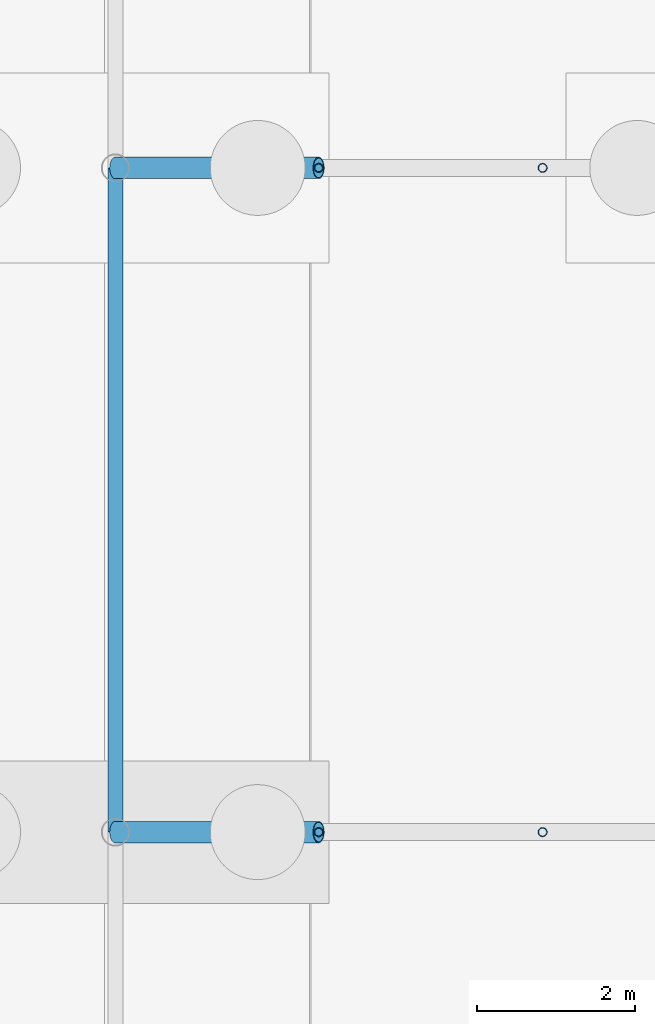
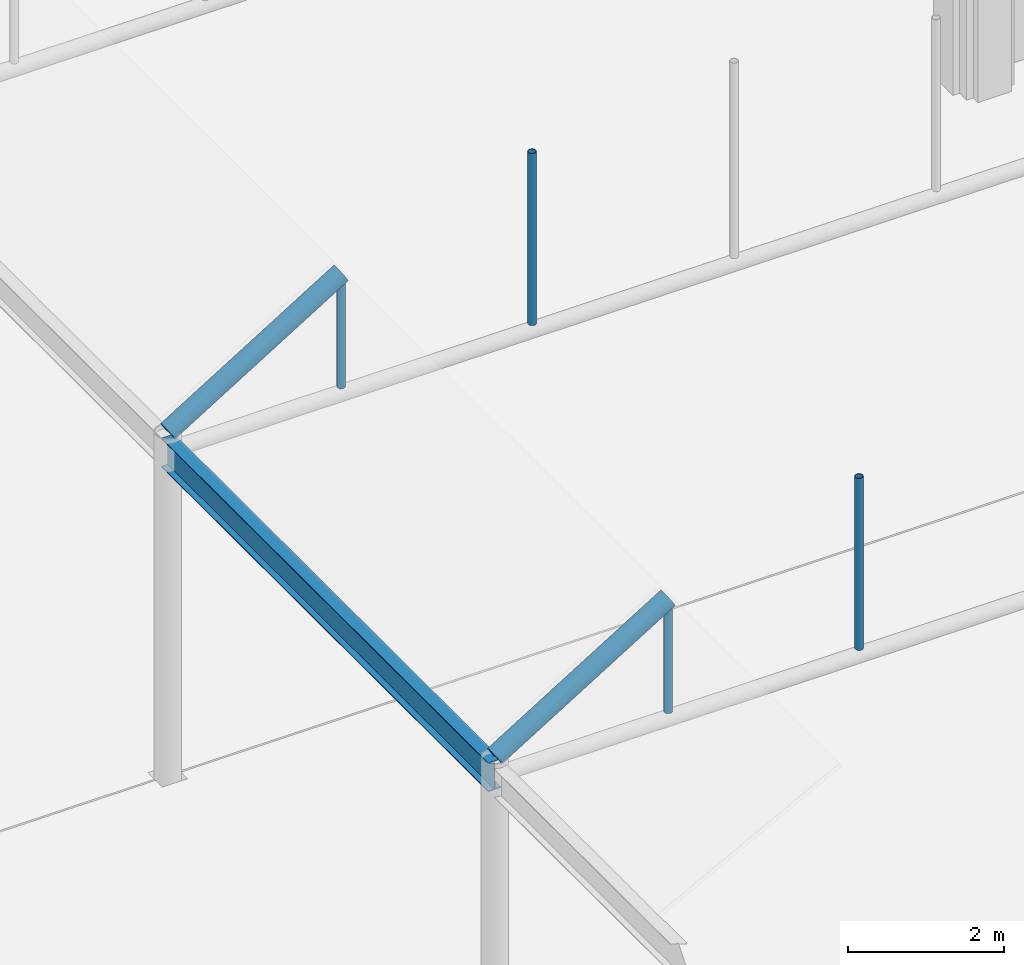
# One storey, part 134 of 212: 6 members, 1 beam.
"""IFC4 building model written with IfcOpenShell, lengths in metres."""

from ifc_helpers import new_model, si_unit, direction, frame, origin, origin_2d, place, context, subcontext, project, spatial, hollow_circle, i_section, extrude, material, material_profile, profile_set, type_object, element, save


model = new_model("IFC4")

# Units and contexts
model_context = context("Model", 3, precision=1e-05, world=origin(), true_north=direction((0.0, 1.0)))
body_context = subcontext(model_context, "Body", "Model", "MODEL_VIEW")
ifc_project = project(units=[si_unit("LENGTHUNIT", "METRE"), si_unit("AREAUNIT", "SQUARE_METRE"), si_unit("VOLUMEUNIT", "CUBIC_METRE"), si_unit("PLANEANGLEUNIT", "RADIAN"), si_unit("MASSUNIT", "GRAM", prefix="KILO")], contexts=[model_context])

# Site, building, storey
site_placement = place(None, origin())
site = spatial("IfcSite", under=ifc_project, at=site_placement, CompositionType="ELEMENT")
building_placement = place(site_placement, origin())
building = spatial("IfcBuilding", under=site, at=building_placement, Name="Catenary Quay Ferry Terminal", CompositionType="ELEMENT")
storey_placement = place(building_placement, origin())
storey = spatial("IfcBuildingStorey", under=building, at=storey_placement, Name="L00", CompositionType="ELEMENT", Elevation=0.0)

# Beam
ifc_material_1 = material(Name="Steel S355", Category="steel")
ifc_material_profile_1 = material_profile(ifc_material_1, i_section(OverallWidth=0.18994140625, OverallDepth=0.453369140625, WebThickness=0.008544921875, FlangeThickness=0.0126953125, at=origin_2d()), Name="UB 457x191x67")
ifc_profile_set_1 = profile_set([ifc_material_profile_1], Name="Steel S355")
beam_type = type_object("IfcBeamType", Name="B1 UB 457x191x67", PredefinedType="BEAM", material=ifc_profile_set_1)
beam_placement = place(storey_placement, frame((8.39990234375, 142.800048828125, 5.10009765625), z_axis=(0.0, 1.0, 0.0), x_axis=(-1.0, 0.0, 0.0)))
element("IfcBeam", 1, at=beam_placement, inside=storey, type_object=beam_type, Name="Eaves beam B-FB10", PredefinedType="BEAM", context=body_context, shape_type="SweptSolid", body=[
    extrude(i_section(OverallWidth=0.18994140625, OverallDepth=0.453369140625, WebThickness=0.008544921875, FlangeThickness=0.0126953125, at=origin_2d()), origin(), (0.0, 0.0, 1.0), 8.39990234375),
])

# Members
ifc_material_2 = material(Name="Steel S355", Category="steel")
ifc_material_profile_2 = material_profile(ifc_material_2, hollow_circle(Radius=0.05712890625, WallThickness=0.00634765625, at=origin_2d()), Name="CHS 114.3x6.3")
ifc_profile_set_2 = profile_set([ifc_material_profile_2], Name="Steel S355")
member_type_1 = type_object("IfcMemberType", Name="HG1 CHS 114.3x6.3", PredefinedType="POST", material=ifc_profile_set_2)
member_1_placement = place(storey_placement, frame((10.970947265625, 142.800048828125, 5.205078125), z_axis=(0.0, 0.0, 1.0), x_axis=(1.0, 0.0, 0.0)))
element("IfcMember", 2, at=member_1_placement, inside=storey, type_object=member_type_1, Name="Hanger FC-10-01", PredefinedType="POST", context=body_context, shape_type="SweptSolid", body=[
    extrude(hollow_circle(Radius=0.05712890625, WallThickness=0.00634765625, at=origin_2d()), origin(), (0.0, 0.0, 1.0), 1.64892578125),
])
member_2_placement = place(storey_placement, frame((13.802978515625, 142.800048828125, 5.205078125), z_axis=(0.0, 0.0, 1.0), x_axis=(1.0, 0.0, 0.0)))
element("IfcMember", 3, at=member_2_placement, inside=storey, type_object=member_type_1, Name="Hanger FC-10-02", PredefinedType="POST", context=body_context, shape_type="SweptSolid", body=[
    extrude(hollow_circle(Radius=0.05712890625, WallThickness=0.00634765625, at=origin_2d()), origin(), (0.0, 0.0, 1.0), 2.69580078125),
])
member_3_placement = place(storey_placement, frame((10.970947265625, 151.199951171875, 5.205078125), z_axis=(0.0, 0.0, 1.0), x_axis=(1.0, 0.0, 0.0)))
element("IfcMember", 4, at=member_3_placement, inside=storey, type_object=member_type_1, Name="Hanger FC-11-01", PredefinedType="POST", context=body_context, shape_type="SweptSolid", body=[
    extrude(hollow_circle(Radius=0.05712890625, WallThickness=0.00634765625, at=origin_2d()), origin(), (0.0, 0.0, 1.0), 1.64892578125),
])
member_4_placement = place(storey_placement, frame((13.802978515625, 151.199951171875, 5.205078125), z_axis=(0.0, 0.0, 1.0), x_axis=(1.0, 0.0, 0.0)))
element("IfcMember", 5, at=member_4_placement, inside=storey, type_object=member_type_1, Name="Hanger FC-11-02", PredefinedType="POST", context=body_context, shape_type="SweptSolid", body=[
    extrude(hollow_circle(Radius=0.05712890625, WallThickness=0.00634765625, at=origin_2d()), origin(), (0.0, 0.0, 1.0), 2.69580078125),
])
ifc_material_3 = material(Name="Steel S355", Category="steel")
ifc_material_profile_3 = material_profile(ifc_material_3, hollow_circle(Radius=0.136474609375, WallThickness=0.012451171875, at=origin_2d()), Name="CHS 273x12.5")
ifc_profile_set_3 = profile_set([ifc_material_profile_3], Name="Steel S355")
member_type_2 = type_object("IfcMemberType", Name="VR2 CHS 273x12.5", PredefinedType="RAFTER", material=ifc_profile_set_3)
for number, where, z_axis, x_axis, name in (
    (6, (8.39990234375, 142.800048828125, 5.39990234375), (0.851391726314, 0.0, 0.524530388408), (0.0, 1.0, 0.0), "rib FC-10-01"),
    (7, (8.39990234375, 151.199951171875, 5.39990234375), (0.851391726314, 0.0, 0.524530388408), (0.0, 1.0, 0.0), "rib FC-11-01"),
):
    element("IfcMember", number, at=place(storey_placement, frame(where, z_axis=z_axis, x_axis=x_axis)), inside=storey, type_object=member_type_2, Name=name, PredefinedType="RAFTER", context=body_context, shape_type="SweptSolid", body=[
        extrude(hollow_circle(Radius=0.136474609375, WallThickness=0.012451171875, at=origin_2d()), origin(), (0.0, 0.0, 1.0), 3.019775390625),
    ])

save(model, "model.ifc")
